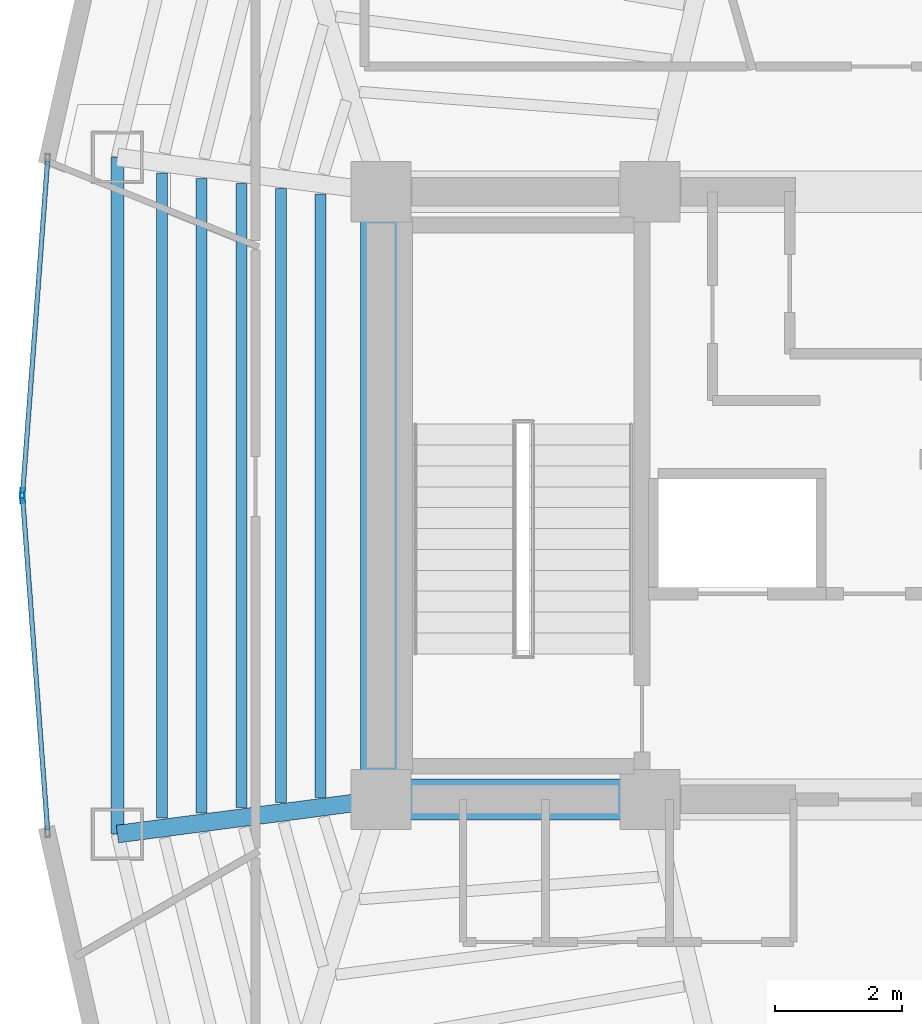
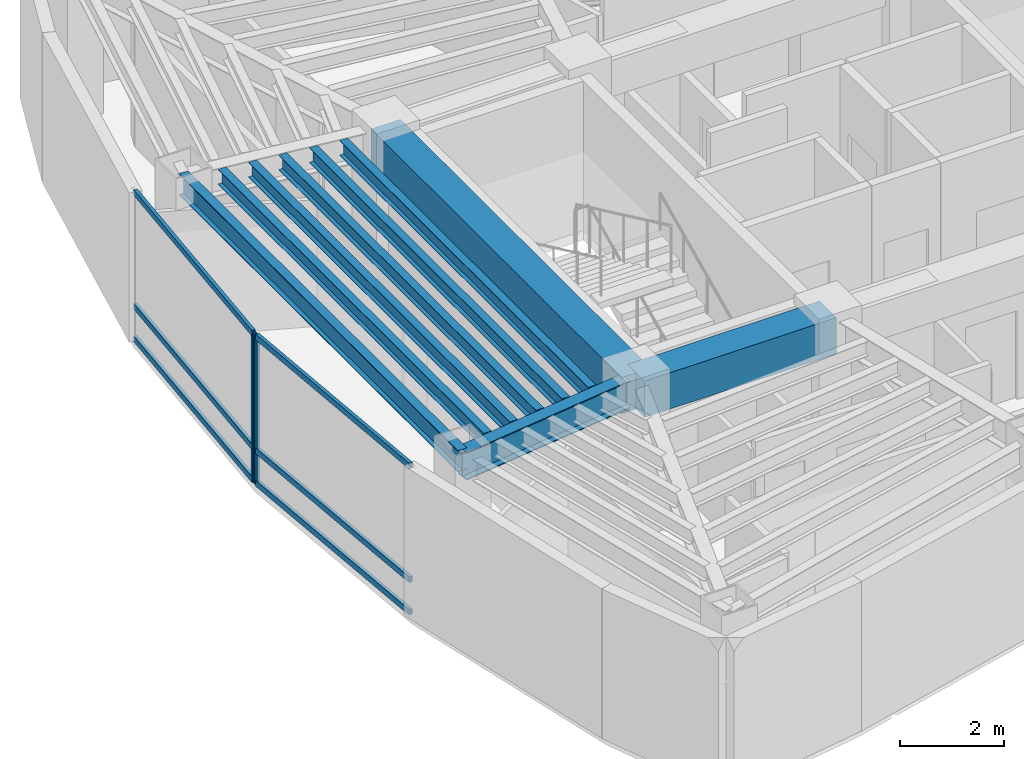
# One storey, part 4 of 15: 9 beams, 8 members, 2 elements without a shape of their own.
"""IFC4 building model written with IfcOpenShell, lengths in metres."""

import ifcopenshell
import ifcopenshell.guid

model = None  # the IFC model being written
_history = None  # IfcOwnerHistory: only IFC2X3 demands one
_inside = {}  # id of a spatial element -> (the spatial element, [elements in it])
_under = {}  # id of a project, library or spatial element -> (it, [spatial elements below it])
_declared = {}  # id of a project -> (the project, [libraries it declares])
_typed = {}  # id of a type object -> (the type object, [elements of that type])
_made_of = {}  # id of a material, layer set ... -> (it, [elements and type objects made of it])


def new_model(schema):
    """Start an empty IFC model of exactly this schema.

    Asked for "IFC4X3", IfcOpenShell would pick the latest addendum, in which some entities
    have other attributes; the version numbers below select the first issue.
    IFC2X3 requires an IfcOwnerHistory on every rooted entity: one is made here for all.
    """
    global model, _history
    if schema == "IFC4X3":
        model = ifcopenshell.file(schema_version=(4, 3, 0, 0))
    else:
        model = ifcopenshell.file(schema=schema)
    _inside.clear()
    _under.clear()
    _declared.clear()
    _typed.clear()
    _made_of.clear()
    _history = None
    if model.schema == "IFC2X3":
        org = make("IfcOrganization", Name="unknown")
        user = make(
            "IfcPersonAndOrganization",
            ThePerson=make("IfcPerson", FamilyName="unknown"),
            TheOrganization=org,
        )
        app = make(
            "IfcApplication",
            ApplicationDeveloper=org,
            Version="unknown",
            ApplicationFullName="unknown",
            ApplicationIdentifier="unknown",
        )
        _history = make(
            "IfcOwnerHistory",
            OwningUser=user,
            OwningApplication=app,
            ChangeAction="ADDED",
            CreationDate=0,
        )
    return model


def make(cls, **values):
    """One entity of the class cls with the attributes given. An attribute that is None is left unset."""
    return model.create_entity(
        cls, **{name: value for name, value in values.items() if value is not None}
    )


def rooted(cls, **values):
    """An entity with a GlobalId (a new one), such as an element, a storey or a relation."""
    return make(cls, GlobalId=ifcopenshell.guid.new(), OwnerHistory=_history, **values)


def si_unit(unit_type, name, prefix=None):
    """IfcSIUnit, for example si_unit("LENGTHUNIT", "METRE", prefix="MILLI")."""
    return make("IfcSIUnit", UnitType=unit_type, Prefix=prefix, Name=name)


def assignment(units):
    """IfcUnitAssignment: the units of a project."""
    return None if units is None else make("IfcUnitAssignment", Units=units)


def point(xyz):
    """IfcCartesianPoint."""
    return None if xyz is None else make("IfcCartesianPoint", Coordinates=xyz)


def direction(xyz):
    """IfcDirection."""
    return None if xyz is None else make("IfcDirection", DirectionRatios=xyz)


def frame(location, z_axis=None, x_axis=None):
    """IfcAxis2Placement3D, a coordinate frame: its origin and axes. An axis left out is left unset."""
    return make(
        "IfcAxis2Placement3D",
        Location=point(location),
        Axis=direction(z_axis),
        RefDirection=direction(x_axis),
    )


def frame_2d(location, x_axis=None):
    """IfcAxis2Placement2D, a coordinate frame in the plane: its origin and x axis."""
    return make(
        "IfcAxis2Placement2D", Location=point(location), RefDirection=direction(x_axis)
    )


def origin():
    """The frame at (0, 0, 0) with its axes left unset."""
    return frame((0.0, 0.0, 0.0))


def origin_2d():
    """The frame at (0, 0) in the plane with its x axis left unset."""
    return frame_2d((0.0, 0.0))


def place(relative_to, where):
    """IfcLocalPlacement: puts the frame where relative to a parent placement (None: the world)."""
    return make(
        "IfcLocalPlacement", PlacementRelTo=relative_to, RelativePlacement=where
    )


def context(
    kind, dimensions, precision=None, world=None, true_north=None, identifier=None
):
    """IfcGeometricRepresentationContext, for example the 3D "Model" context."""
    return make(
        "IfcGeometricRepresentationContext",
        ContextIdentifier=identifier,
        ContextType=kind,
        CoordinateSpaceDimension=dimensions,
        Precision=precision,
        WorldCoordinateSystem=world,
        TrueNorth=true_north,
    )


def subcontext(parent, identifier, kind, view, scale=None):
    """IfcGeometricRepresentationSubContext, for example "Body" below "Model"."""
    return make(
        "IfcGeometricRepresentationSubContext",
        ContextIdentifier=identifier,
        ContextType=kind,
        ParentContext=parent,
        TargetScale=scale,
        TargetView=view,
    )


def project(units=None, contexts=None):
    """IfcProject with its units and contexts."""
    return rooted(
        "IfcProject",
        Name="project",
        RepresentationContexts=contexts,
        UnitsInContext=assignment(units),
    )


def spatial(cls, under=None, at=None, **own):
    """A site, building, storey or space (cls), placed at a placement, below another one or the project."""
    s = rooted(cls, ObjectPlacement=at, **own)
    if under is not None:
        _under.setdefault(under.id(), (under, []))[1].append(s)
    return s


def profile(cls, at=None, kind="AREA", **sizes):
    """A parametric profile (cls). Its sizes go by their IFC names, for example OverallWidth=200.0."""
    return make(cls, ProfileType=kind, Position=at, **sizes)


def rectangle(**sizes):
    """IfcRectangleProfileDef."""
    return profile("IfcRectangleProfileDef", **sizes)


def hollow_rectangle(**sizes):
    """IfcRectangleHollowProfileDef."""
    return profile("IfcRectangleHollowProfileDef", **sizes)


def i_section(**sizes):
    """IfcIShapeProfileDef."""
    return profile("IfcIShapeProfileDef", **sizes)


def extrude(swept, where, along, depth):
    """IfcExtrudedAreaSolid: the profile swept, set in the frame where, extruded along a direction by depth."""
    return make(
        "IfcExtrudedAreaSolid",
        SweptArea=swept,
        Position=where,
        ExtrudedDirection=direction(along),
        Depth=depth,
    )


def shape(context_of_items, identifier, shape_type, items):
    """IfcShapeRepresentation: the items that make up one representation, for example the "Body"."""
    return make(
        "IfcShapeRepresentation",
        ContextOfItems=context_of_items,
        RepresentationIdentifier=identifier,
        RepresentationType=shape_type,
        Items=items,
    )


def material(Name=None, Category=None):
    """IfcMaterial."""
    return make("IfcMaterial", Name=Name, Category=Category)


def layer(
    of_material, thickness, ventilated=None, Name=None, Category=None, Priority=None
):
    """IfcMaterialLayer: one layer of a wall or slab, of a material (None: an air gap)."""
    return make(
        "IfcMaterialLayer",
        Material=of_material,
        LayerThickness=thickness,
        IsVentilated=ventilated,
        Name=Name,
        Category=Category,
        Priority=Priority,
    )


def layer_set(layers, Name=None):
    """IfcMaterialLayerSet."""
    return make("IfcMaterialLayerSet", MaterialLayers=layers, LayerSetName=Name)


def material_profile(
    of_material, cross_section, Name=None, Category=None, Priority=None
):
    """IfcMaterialProfile: a cross section and its material."""
    return make(
        "IfcMaterialProfile",
        Name=Name,
        Material=of_material,
        Profile=cross_section,
        Priority=Priority,
        Category=Category,
    )


def profile_set(profiles, Name=None, composite=None):
    """IfcMaterialProfileSet."""
    return make(
        "IfcMaterialProfileSet",
        Name=Name,
        MaterialProfiles=profiles,
        CompositeProfile=composite,
    )


def made_of(thing, what):
    """Note that an element or type object is made of a material, layer set ...; save() writes the relation."""
    if what is not None:
        _made_of.setdefault(what.id(), (what, []))[1].append(thing)
    return thing


def type_object(cls, material=None, **own):
    """A type object (cls), such as IfcWallType, which elements share."""
    return made_of(rooted(cls, **own), material)


def element(
    cls,
    number,
    at=None,
    inside=None,
    cuts=None,
    type_object=None,
    material=None,
    context=None,
    identifier="Body",
    shape_type=None,
    held_by="IfcProductDefinitionShape",
    body=None,
    shapes=None,
    **own,
):
    """One element of the class cls, such as IfcWall. Its Tag is "e" and its number.

    at: its placement. inside: the storey or other place that contains it. cuts: it is an
    opening in that element (IfcRelVoidsElement). A single representation is given by context,
    identifier, shape_type and body (its items); several are given by shapes. held_by: the class
    of the entity that holds the representations. save() writes the other relations.
    """
    e = rooted(cls, Tag="e%d" % number, ObjectPlacement=at, **own)
    if body is not None:
        shapes = [shape(context, identifier, shape_type, body)]
    if shapes is not None:
        e.Representation = make(held_by, Representations=shapes)
    if inside is not None:
        _inside.setdefault(inside.id(), (inside, []))[1].append(e)
    if cuts is not None:
        rooted(
            "IfcRelVoidsElement", RelatingBuildingElement=cuts, RelatedOpeningElement=e
        )
    if type_object is not None:
        _typed.setdefault(type_object.id(), (type_object, []))[1].append(e)
    return made_of(e, material)


def aggregate(whole, parts):
    """IfcRelAggregates: a whole, such as a stair, and the parts it consists of."""
    return rooted("IfcRelAggregates", RelatingObject=whole, RelatedObjects=parts)


def save(model, path):
    """Write the relations noted so far, then the file.

    IfcRelAggregates (storeys below a building ...), IfcRelContainedInSpatialStructure (elements
    in a storey), IfcRelDefinesByType, IfcRelAssociatesMaterial and IfcRelDeclares: one each for
    every whole, place, type object, material and project.
    """
    for whole, parts in _under.values():
        aggregate(whole, parts)
    for where, things in _inside.values():
        rooted(
            "IfcRelContainedInSpatialStructure",
            RelatedElements=things,
            RelatingStructure=where,
        )
    for kind, things in _typed.values():
        rooted("IfcRelDefinesByType", RelatedObjects=things, RelatingType=kind)
    for what, things in _made_of.values():
        rooted("IfcRelAssociatesMaterial", RelatedObjects=things, RelatingMaterial=what)
    for by, libraries in _declared.values():
        rooted("IfcRelDeclares", RelatingContext=by, RelatedDefinitions=libraries)
    model.write(path)


model = new_model("IFC4")

# Units and contexts
model_context = context("Model", 3, precision=1e-05, world=origin(), true_north=direction((0.0, 1.0)))
body_context = subcontext(model_context, "Body", "Model", "MODEL_VIEW")
ifc_project = project(units=[si_unit("LENGTHUNIT", "METRE"), si_unit("AREAUNIT", "SQUARE_METRE"), si_unit("VOLUMEUNIT", "CUBIC_METRE"), si_unit("PLANEANGLEUNIT", "RADIAN"), si_unit("MASSUNIT", "GRAM", prefix="KILO")], contexts=[model_context])

# Site, building, storey
site_placement = place(None, origin())
site = spatial("IfcSite", under=ifc_project, at=site_placement, CompositionType="ELEMENT")
building_placement = place(site_placement, origin())
building = spatial("IfcBuilding", under=site, at=building_placement, Name="Menara Vayukalpa", CompositionType="ELEMENT")
storey_placement = place(building_placement, frame((0.0, 0.0, 284.340087890625)))
storey = spatial("IfcBuildingStorey", under=building, at=storey_placement, Name="L72", CompositionType="ELEMENT", Elevation=284.340087890625)

# Beams
ifc_material_1 = material(Name="Concrete C60/75", Category="concrete")
ifc_material_profile_1 = material_profile(ifc_material_1, rectangle(XDim=0.64990234375, YDim=0.85009765625, at=origin_2d()), Name="RC 650x850")
ifc_profile_set_1 = profile_set([ifc_material_profile_1], Name="Concrete C60/75")
beam_type_1 = type_object("IfcBeamType", Name="BM-CB1", PredefinedType="BEAM", material=ifc_profile_set_1)
beam_1_placement = place(storey_placement, frame((17.800048828125, 17.199951171875, 3.074951171875), z_axis=(1.0, 0.0, 0.0), x_axis=(0.0, 1.0, 0.0)))
element("IfcBeam", 1, at=beam_1_placement, inside=storey, type_object=beam_type_1, Name="L72 Core Tie Beam CBR1", PredefinedType="BEAM", context=body_context, shape_type="SweptSolid", body=[
    extrude(rectangle(XDim=0.64990234375, YDim=0.85009765625, at=origin_2d()), origin(), (0.0, 0.0, 1.0), 4.25),
])
beam_2_placement = place(storey_placement, frame((17.800048828125, 17.199951171875, 3.074951171875), z_axis=(0.0, 1.0, 0.0), x_axis=(-1.0, 0.0, 0.0)))
element("IfcBeam", 2, at=beam_2_placement, inside=storey, type_object=beam_type_1, Name="L72 Core Tie Beam CBR7", PredefinedType="BEAM", context=body_context, shape_type="SweptSolid", body=[
    extrude(rectangle(XDim=0.64990234375, YDim=0.85009765625, at=origin_2d()), origin(), (0.0, 0.0, 1.0), 9.60009765625),
])
ifc_material_2 = material(Name="Steel S355", Category="steel")
ifc_material_profile_2 = material_profile(ifc_material_2, i_section(OverallWidth=0.280029296875, OverallDepth=0.64990234375, WebThickness=0.012939453125, FlangeThickness=0.02197265625, at=origin_2d()), Name="WF 650x280x13x22")
ifc_profile_set_2 = profile_set([ifc_material_profile_2], Name="Steel S355")
beam_type_2 = type_object("IfcBeamType", Name="BM-PG6", PredefinedType="BEAM", material=ifc_profile_set_2)
beam_3_placement = place(storey_placement, frame((17.552001953125, 17.16748046875, 3.1748046875), z_axis=(-0.991477860763, -0.130275291662, 0.0), x_axis=(0.130275291662, -0.991477860763, 0.0)))
element("IfcBeam", 3, at=beam_3_placement, inside=storey, type_object=beam_type_2, Name="L72 Primary Radial Girder RG06", PredefinedType="BEAM", context=body_context, shape_type="SweptSolid", body=[
    extrude(i_section(OverallWidth=0.280029296875, OverallDepth=0.64990234375, WebThickness=0.012939453125, FlangeThickness=0.02197265625, at=origin_2d()), origin(), (0.0, 0.0, 1.0), 3.94677734375),
])
ifc_material_3 = material(Name="Steel S355", Category="steel")
ifc_material_profile_3 = material_profile(ifc_material_3, i_section(OverallWidth=0.175048828125, OverallDepth=0.35009765625, WebThickness=0.007080078125, FlangeThickness=0.010986328125, at=origin_2d()), Name="WF 350x175x7x11")
ifc_profile_set_3 = profile_set([ifc_material_profile_3], Name="Steel S355")
beam_type_3 = type_object("IfcBeamType", Name="BM-SJ3", PredefinedType="JOIST", material=ifc_profile_set_3)
beam_4_placement = place(storey_placement, frame((16.84765625, 26.76513671875, 3.324951171875), z_axis=(0.0, -1.0, 0.0), x_axis=(1.0, 0.0, 0.0)))
element("IfcBeam", 4, at=beam_4_placement, inside=storey, type_object=beam_type_3, Name="L72 Secondary Floor Joist SJ05-1", PredefinedType="JOIST", context=body_context, shape_type="SweptSolid", body=[
    extrude(i_section(OverallWidth=0.175048828125, OverallDepth=0.35009765625, WebThickness=0.007080078125, FlangeThickness=0.010986328125, at=origin_2d()), origin(), (0.0, 0.0, 1.0), 9.5302734375),
])
beam_5_placement = place(storey_placement, frame((16.2216796875, 26.847412109375, 3.324951171875), z_axis=(0.0, -1.0, 0.0), x_axis=(1.0, 0.0, 0.0)))
element("IfcBeam", 5, at=beam_5_placement, inside=storey, type_object=beam_type_3, Name="L72 Secondary Floor Joist SJ05-2", PredefinedType="JOIST", context=body_context, shape_type="SweptSolid", body=[
    extrude(i_section(OverallWidth=0.175048828125, OverallDepth=0.35009765625, WebThickness=0.007080078125, FlangeThickness=0.010986328125, at=origin_2d()), origin(), (0.0, 0.0, 1.0), 9.69482421875),
])
beam_6_placement = place(storey_placement, frame((15.595458984375, 26.9296875, 3.324951171875), z_axis=(0.0, -1.0, 0.0), x_axis=(1.0, 0.0, 0.0)))
element("IfcBeam", 6, at=beam_6_placement, inside=storey, type_object=beam_type_3, Name="L72 Secondary Floor Joist SJ05-3", PredefinedType="JOIST", context=body_context, shape_type="SweptSolid", body=[
    extrude(i_section(OverallWidth=0.175048828125, OverallDepth=0.35009765625, WebThickness=0.007080078125, FlangeThickness=0.010986328125, at=origin_2d()), origin(), (0.0, 0.0, 1.0), 9.859375),
])
beam_7_placement = place(storey_placement, frame((14.969482421875, 27.011962890625, 3.324951171875), z_axis=(0.0, -1.0, 0.0), x_axis=(1.0, 0.0, 0.0)))
element("IfcBeam", 7, at=beam_7_placement, inside=storey, type_object=beam_type_3, Name="L72 Secondary Floor Joist SJ05-4", PredefinedType="JOIST", context=body_context, shape_type="SweptSolid", body=[
    extrude(i_section(OverallWidth=0.175048828125, OverallDepth=0.35009765625, WebThickness=0.007080078125, FlangeThickness=0.010986328125, at=origin_2d()), origin(), (0.0, 0.0, 1.0), 10.02392578125),
])
beam_8_placement = place(storey_placement, frame((14.343505859375, 27.09423828125, 3.324951171875), z_axis=(0.0, -1.0, 0.0), x_axis=(1.0, 0.0, 0.0)))
element("IfcBeam", 8, at=beam_8_placement, inside=storey, type_object=beam_type_3, Name="L72 Secondary Floor Joist SJ05-5", PredefinedType="JOIST", context=body_context, shape_type="SweptSolid", body=[
    extrude(i_section(OverallWidth=0.175048828125, OverallDepth=0.35009765625, WebThickness=0.007080078125, FlangeThickness=0.010986328125, at=origin_2d()), origin(), (0.0, 0.0, 1.0), 10.1884765625),
])
ifc_material_4 = material(Name="Steel S355", Category="steel")
ifc_material_profile_4 = material_profile(ifc_material_4, i_section(OverallWidth=0.199951171875, OverallDepth=0.5, WebThickness=0.010009765625, FlangeThickness=0.01611328125, at=origin_2d()), Name="WF 500x200x10x16")
ifc_profile_set_4 = profile_set([ifc_material_profile_4], Name="Steel S355")
beam_type_4 = type_object("IfcBeamType", Name="BM-SP3", PredefinedType="SPANDREL", material=ifc_profile_set_4)
beam_9_placement = place(storey_placement, frame((13.638916015625, 27.3466796875, 3.25), z_axis=(0.0, -1.0, 0.0), x_axis=(1.0, 0.0, 0.0)))
element("IfcBeam", 9, at=beam_9_placement, inside=storey, type_object=beam_type_4, Name="L72 Perimeter Spandrel Beam SP05", PredefinedType="SPANDREL", context=body_context, shape_type="SweptSolid", body=[
    extrude(i_section(OverallWidth=0.199951171875, OverallDepth=0.5, WebThickness=0.010009765625, FlangeThickness=0.01611328125, at=origin_2d()), origin(), (0.0, 0.0, 1.0), 10.693359375),
])

# Curtain wall, member
ifc_material_5 = material(Name="Anodised Terracotta Aluminium Alloy 6063-T6", Category="masonry")
ifc_layer = layer(ifc_material_5, 0.1650390625)
ifc_layer_set = layer_set([ifc_layer], Name="Anodised Terracotta Aluminium Alloy 6063-T6")
curtain_wall_type = type_object("IfcCurtainWallType", Name="CW-CW6", PredefinedType="USERDEFINED", material=ifc_layer_set)
curtain_wall_1_placement = place(storey_placement, origin())
curtain_wall_1 = element("IfcCurtainWall", 10, at=curtain_wall_1_placement, inside=storey, type_object=curtain_wall_type, Name="L72 Observation and Executive Curtain Wall CW6 10", ObjectType="UNITISED", PredefinedType="USERDEFINED")
ifc_material_6 = material(Name="Anodised Terracotta Aluminium Alloy 6063-T6", Category="masonry")
ifc_material_profile_5 = material_profile(ifc_material_6, hollow_rectangle(XDim=0.070068359375, YDim=0.1650390625, WallThickness=0.00390625, at=origin_2d()), Name="ALU 70x165x4")
ifc_profile_set_5 = profile_set([ifc_material_profile_5], Name="Anodised Terracotta Aluminium Alloy 6063-T6")
member_type_1 = type_object("IfcMemberType", Name="CWM-CW6", PredefinedType="MULLION", material=ifc_profile_set_5)
member_1_placement = place(storey_placement, frame((12.140625, 22.034912109375, 0.0), z_axis=(0.0, 0.0, 1.0), x_axis=(0.997199344663, -0.074789484574, 0.0)))
member_1 = element("IfcMember", 11, at=member_1_placement, type_object=member_type_1, Name="CW6 mullion 2", PredefinedType="MULLION", context=body_context, shape_type="SweptSolid", body=[
    extrude(hollow_rectangle(XDim=0.070068359375, YDim=0.1650390625, WallThickness=0.00390625, at=origin_2d()), origin(), (0.0, 0.0, 1.0), 3.5),
])

curtain_wall_2_placement = place(storey_placement, origin())
curtain_wall_2 = element("IfcCurtainWall", 12, at=curtain_wall_2_placement, inside=storey, type_object=curtain_wall_type, Name="L72 Observation and Executive Curtain Wall CW6 11", ObjectType="UNITISED", PredefinedType="USERDEFINED")
member_2_placement = place(storey_placement, frame((12.140625, 21.965087890625, 0.0), z_axis=(0.0, 0.0, 1.0), x_axis=(0.997199344663, 0.074789484574, 0.0)))
member_2 = element("IfcMember", 13, at=member_2_placement, type_object=member_type_1, Name="CW6 mullion 1", PredefinedType="MULLION", context=body_context, shape_type="SweptSolid", body=[
    extrude(hollow_rectangle(XDim=0.070068359375, YDim=0.1650390625, WallThickness=0.00390625, at=origin_2d()), origin(), (0.0, 0.0, 1.0), 3.5),
])

# Member
ifc_material_7 = material(Name="Anodised Terracotta Aluminium Alloy 6063-T6", Category="masonry")
ifc_material_profile_6 = material_profile(ifc_material_7, hollow_rectangle(XDim=0.074951171875, YDim=0.135009765625, WallThickness=0.00390625, at=origin_2d()), Name="ALU 75x135x4")
ifc_profile_set_6 = profile_set([ifc_material_profile_6], Name="Anodised Terracotta Aluminium Alloy 6063-T6")
member_type_2 = type_object("IfcMemberType", Name="CWT-CW6", PredefinedType="USERDEFINED", material=ifc_profile_set_6)
member_3_placement = place(storey_placement, frame((12.53369140625, 27.27685546875, 0.037353515625), z_axis=(-0.074762051827, -0.997201401727, 0.0), x_axis=(0.997201401727, -0.074762051827, 0.0)))
member_3 = element("IfcMember", 14, at=member_3_placement, type_object=member_type_2, Name="CW6 transom 1.1", ObjectType="TRANSOM", PredefinedType="USERDEFINED", context=body_context, shape_type="SweptSolid", body=[
    extrude(hollow_rectangle(XDim=0.074951171875, YDim=0.135009765625, WallThickness=0.00390625, at=origin_2d()), origin(), (0.0, 0.0, 1.0), 5.2216796875),
])

member_4_placement = place(storey_placement, frame((12.53369140625, 27.27685546875, 0.7998046875), z_axis=(-0.074762051827, -0.997201401727, 0.0), x_axis=(0.997201401727, -0.074762051827, 0.0)))
member_4 = element("IfcMember", 15, at=member_4_placement, type_object=member_type_2, Name="CW6 transom 1.2", ObjectType="TRANSOM", PredefinedType="USERDEFINED", context=body_context, shape_type="SweptSolid", body=[
    extrude(hollow_rectangle(XDim=0.074951171875, YDim=0.135009765625, WallThickness=0.00390625, at=origin_2d()), origin(), (0.0, 0.0, 1.0), 5.2216796875),
])

member_5_placement = place(storey_placement, frame((12.53369140625, 27.27685546875, 3.46240234375), z_axis=(-0.074762051827, -0.997201401727, 0.0), x_axis=(0.997201401727, -0.074762051827, 0.0)))
member_5 = element("IfcMember", 16, at=member_5_placement, type_object=member_type_2, Name="CW6 transom 1.3", ObjectType="TRANSOM", PredefinedType="USERDEFINED", context=body_context, shape_type="SweptSolid", body=[
    extrude(hollow_rectangle(XDim=0.074951171875, YDim=0.135009765625, WallThickness=0.00390625, at=origin_2d()), origin(), (0.0, 0.0, 1.0), 5.2216796875),
])

aggregate(curtain_wall_1, [member_1, member_3, member_4, member_5])

member_6_placement = place(storey_placement, frame((12.143310546875, 21.93017578125, 0.037353515625), z_axis=(0.074762051827, -0.997201401727, 0.0), x_axis=(0.997201401727, 0.074762051827, 0.0)))
member_6 = element("IfcMember", 17, at=member_6_placement, type_object=member_type_2, Name="CW6 transom 1.1", ObjectType="TRANSOM", PredefinedType="USERDEFINED", context=body_context, shape_type="SweptSolid", body=[
    extrude(hollow_rectangle(XDim=0.074951171875, YDim=0.135009765625, WallThickness=0.00390625, at=origin_2d()), origin(), (0.0, 0.0, 1.0), 5.2216796875),
])

member_7_placement = place(storey_placement, frame((12.143310546875, 21.93017578125, 0.7998046875), z_axis=(0.074762051827, -0.997201401727, 0.0), x_axis=(0.997201401727, 0.074762051827, 0.0)))
member_7 = element("IfcMember", 18, at=member_7_placement, type_object=member_type_2, Name="CW6 transom 1.2", ObjectType="TRANSOM", PredefinedType="USERDEFINED", context=body_context, shape_type="SweptSolid", body=[
    extrude(hollow_rectangle(XDim=0.074951171875, YDim=0.135009765625, WallThickness=0.00390625, at=origin_2d()), origin(), (0.0, 0.0, 1.0), 5.2216796875),
])

member_8_placement = place(storey_placement, frame((12.143310546875, 21.93017578125, 3.46240234375), z_axis=(0.074762051827, -0.997201401727, 0.0), x_axis=(0.997201401727, 0.074762051827, 0.0)))
member_8 = element("IfcMember", 19, at=member_8_placement, type_object=member_type_2, Name="CW6 transom 1.3", ObjectType="TRANSOM", PredefinedType="USERDEFINED", context=body_context, shape_type="SweptSolid", body=[
    extrude(hollow_rectangle(XDim=0.074951171875, YDim=0.135009765625, WallThickness=0.00390625, at=origin_2d()), origin(), (0.0, 0.0, 1.0), 5.2216796875),
])

aggregate(curtain_wall_2, [member_2, member_6, member_7, member_8])

save(model, "model.ifc")
